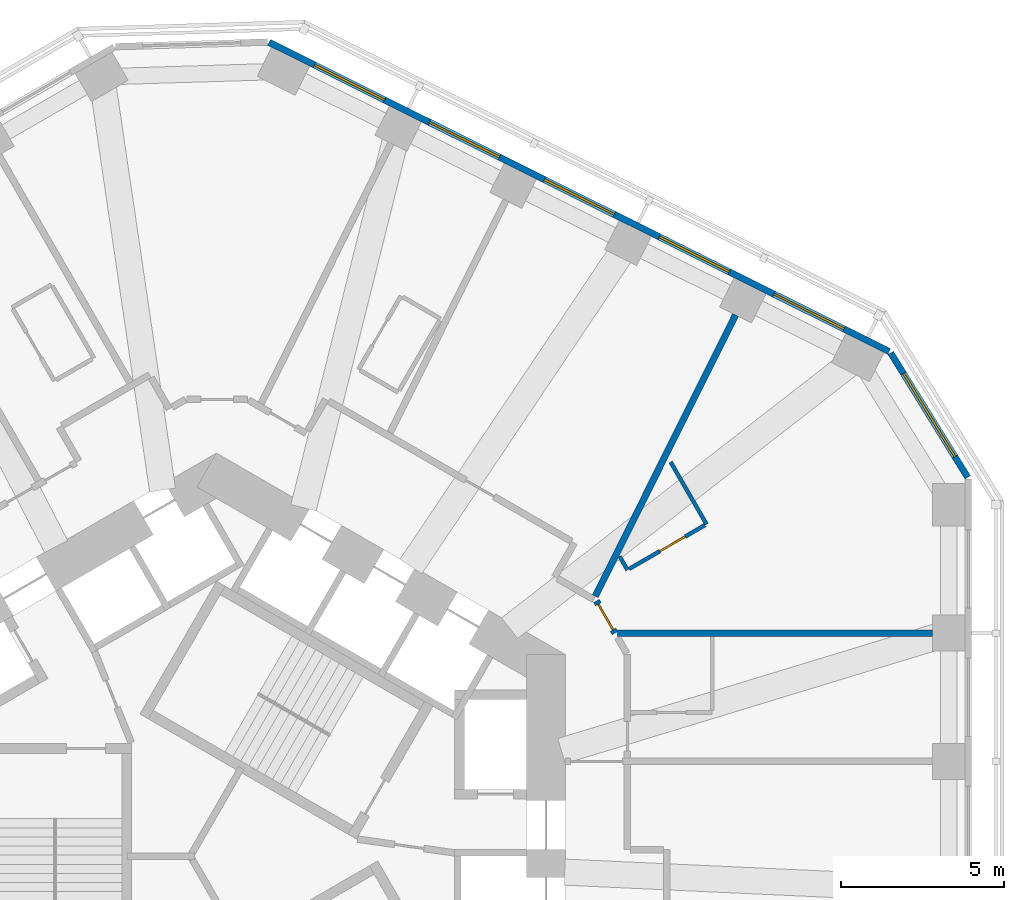
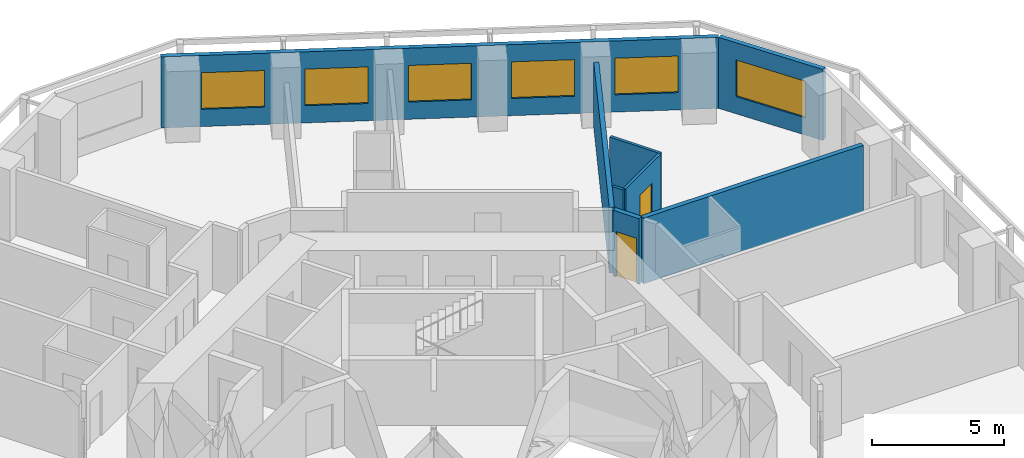
# One storey, part 9 of 12: 8 walls, 6 windows, 2 doors, 8 openings.
"""IFC4 building model written with IfcOpenShell, lengths in metres."""

import ifcopenshell
import ifcopenshell.guid

model = None  # the IFC model being written
_history = None  # IfcOwnerHistory: only IFC2X3 demands one
_inside = {}  # id of a spatial element -> (the spatial element, [elements in it])
_under = {}  # id of a project, library or spatial element -> (it, [spatial elements below it])
_declared = {}  # id of a project -> (the project, [libraries it declares])
_typed = {}  # id of a type object -> (the type object, [elements of that type])
_made_of = {}  # id of a material, layer set ... -> (it, [elements and type objects made of it])


def new_model(schema):
    """Start an empty IFC model of exactly this schema.

    Asked for "IFC4X3", IfcOpenShell would pick the latest addendum, in which some entities
    have other attributes; the version numbers below select the first issue.
    IFC2X3 requires an IfcOwnerHistory on every rooted entity: one is made here for all.
    """
    global model, _history
    if schema == "IFC4X3":
        model = ifcopenshell.file(schema_version=(4, 3, 0, 0))
    else:
        model = ifcopenshell.file(schema=schema)
    _inside.clear()
    _under.clear()
    _declared.clear()
    _typed.clear()
    _made_of.clear()
    _history = None
    if model.schema == "IFC2X3":
        org = make("IfcOrganization", Name="unknown")
        user = make(
            "IfcPersonAndOrganization",
            ThePerson=make("IfcPerson", FamilyName="unknown"),
            TheOrganization=org,
        )
        app = make(
            "IfcApplication",
            ApplicationDeveloper=org,
            Version="unknown",
            ApplicationFullName="unknown",
            ApplicationIdentifier="unknown",
        )
        _history = make(
            "IfcOwnerHistory",
            OwningUser=user,
            OwningApplication=app,
            ChangeAction="ADDED",
            CreationDate=0,
        )
    return model


def make(cls, **values):
    """One entity of the class cls with the attributes given. An attribute that is None is left unset."""
    return model.create_entity(
        cls, **{name: value for name, value in values.items() if value is not None}
    )


def rooted(cls, **values):
    """An entity with a GlobalId (a new one), such as an element, a storey or a relation."""
    return make(cls, GlobalId=ifcopenshell.guid.new(), OwnerHistory=_history, **values)


def si_unit(unit_type, name, prefix=None):
    """IfcSIUnit, for example si_unit("LENGTHUNIT", "METRE", prefix="MILLI")."""
    return make("IfcSIUnit", UnitType=unit_type, Prefix=prefix, Name=name)


def assignment(units):
    """IfcUnitAssignment: the units of a project."""
    return None if units is None else make("IfcUnitAssignment", Units=units)


def point(xyz):
    """IfcCartesianPoint."""
    return None if xyz is None else make("IfcCartesianPoint", Coordinates=xyz)


def direction(xyz):
    """IfcDirection."""
    return None if xyz is None else make("IfcDirection", DirectionRatios=xyz)


def frame(location, z_axis=None, x_axis=None):
    """IfcAxis2Placement3D, a coordinate frame: its origin and axes. An axis left out is left unset."""
    return make(
        "IfcAxis2Placement3D",
        Location=point(location),
        Axis=direction(z_axis),
        RefDirection=direction(x_axis),
    )


def frame_2d(location, x_axis=None):
    """IfcAxis2Placement2D, a coordinate frame in the plane: its origin and x axis."""
    return make(
        "IfcAxis2Placement2D", Location=point(location), RefDirection=direction(x_axis)
    )


def origin():
    """The frame at (0, 0, 0) with its axes left unset."""
    return frame((0.0, 0.0, 0.0))


def place(relative_to, where):
    """IfcLocalPlacement: puts the frame where relative to a parent placement (None: the world)."""
    return make(
        "IfcLocalPlacement", PlacementRelTo=relative_to, RelativePlacement=where
    )


def context(
    kind, dimensions, precision=None, world=None, true_north=None, identifier=None
):
    """IfcGeometricRepresentationContext, for example the 3D "Model" context."""
    return make(
        "IfcGeometricRepresentationContext",
        ContextIdentifier=identifier,
        ContextType=kind,
        CoordinateSpaceDimension=dimensions,
        Precision=precision,
        WorldCoordinateSystem=world,
        TrueNorth=true_north,
    )


def subcontext(parent, identifier, kind, view, scale=None):
    """IfcGeometricRepresentationSubContext, for example "Body" below "Model"."""
    return make(
        "IfcGeometricRepresentationSubContext",
        ContextIdentifier=identifier,
        ContextType=kind,
        ParentContext=parent,
        TargetScale=scale,
        TargetView=view,
    )


def project(units=None, contexts=None):
    """IfcProject with its units and contexts."""
    return rooted(
        "IfcProject",
        Name="project",
        RepresentationContexts=contexts,
        UnitsInContext=assignment(units),
    )


def spatial(cls, under=None, at=None, **own):
    """A site, building, storey or space (cls), placed at a placement, below another one or the project."""
    s = rooted(cls, ObjectPlacement=at, **own)
    if under is not None:
        _under.setdefault(under.id(), (under, []))[1].append(s)
    return s


def profile(cls, at=None, kind="AREA", **sizes):
    """A parametric profile (cls). Its sizes go by their IFC names, for example OverallWidth=200.0."""
    return make(cls, ProfileType=kind, Position=at, **sizes)


def rectangle(**sizes):
    """IfcRectangleProfileDef."""
    return profile("IfcRectangleProfileDef", **sizes)


def extrude(swept, where, along, depth):
    """IfcExtrudedAreaSolid: the profile swept, set in the frame where, extruded along a direction by depth."""
    return make(
        "IfcExtrudedAreaSolid",
        SweptArea=swept,
        Position=where,
        ExtrudedDirection=direction(along),
        Depth=depth,
    )


def shape(context_of_items, identifier, shape_type, items):
    """IfcShapeRepresentation: the items that make up one representation, for example the "Body"."""
    return make(
        "IfcShapeRepresentation",
        ContextOfItems=context_of_items,
        RepresentationIdentifier=identifier,
        RepresentationType=shape_type,
        Items=items,
    )


def material(Name=None, Category=None):
    """IfcMaterial."""
    return make("IfcMaterial", Name=Name, Category=Category)


def layer(
    of_material, thickness, ventilated=None, Name=None, Category=None, Priority=None
):
    """IfcMaterialLayer: one layer of a wall or slab, of a material (None: an air gap)."""
    return make(
        "IfcMaterialLayer",
        Material=of_material,
        LayerThickness=thickness,
        IsVentilated=ventilated,
        Name=Name,
        Category=Category,
        Priority=Priority,
    )


def layer_set(layers, Name=None):
    """IfcMaterialLayerSet."""
    return make("IfcMaterialLayerSet", MaterialLayers=layers, LayerSetName=Name)


def made_of(thing, what):
    """Note that an element or type object is made of a material, layer set ...; save() writes the relation."""
    if what is not None:
        _made_of.setdefault(what.id(), (what, []))[1].append(thing)
    return thing


def type_object(cls, material=None, **own):
    """A type object (cls), such as IfcWallType, which elements share."""
    return made_of(rooted(cls, **own), material)


def element(
    cls,
    number,
    at=None,
    inside=None,
    cuts=None,
    type_object=None,
    material=None,
    context=None,
    identifier="Body",
    shape_type=None,
    held_by="IfcProductDefinitionShape",
    body=None,
    shapes=None,
    **own,
):
    """One element of the class cls, such as IfcWall. Its Tag is "e" and its number.

    at: its placement. inside: the storey or other place that contains it. cuts: it is an
    opening in that element (IfcRelVoidsElement). A single representation is given by context,
    identifier, shape_type and body (its items); several are given by shapes. held_by: the class
    of the entity that holds the representations. save() writes the other relations.
    """
    e = rooted(cls, Tag="e%d" % number, ObjectPlacement=at, **own)
    if body is not None:
        shapes = [shape(context, identifier, shape_type, body)]
    if shapes is not None:
        e.Representation = make(held_by, Representations=shapes)
    if inside is not None:
        _inside.setdefault(inside.id(), (inside, []))[1].append(e)
    if cuts is not None:
        rooted(
            "IfcRelVoidsElement", RelatingBuildingElement=cuts, RelatedOpeningElement=e
        )
    if type_object is not None:
        _typed.setdefault(type_object.id(), (type_object, []))[1].append(e)
    return made_of(e, material)


def fill(opening, filler):
    """IfcRelFillsElement: the door or window that sits in an opening."""
    return rooted(
        "IfcRelFillsElement",
        RelatingOpeningElement=opening,
        RelatedBuildingElement=filler,
    )


def aggregate(whole, parts):
    """IfcRelAggregates: a whole, such as a stair, and the parts it consists of."""
    return rooted("IfcRelAggregates", RelatingObject=whole, RelatedObjects=parts)


def save(model, path):
    """Write the relations noted so far, then the file.

    IfcRelAggregates (storeys below a building ...), IfcRelContainedInSpatialStructure (elements
    in a storey), IfcRelDefinesByType, IfcRelAssociatesMaterial and IfcRelDeclares: one each for
    every whole, place, type object, material and project.
    """
    for whole, parts in _under.values():
        aggregate(whole, parts)
    for where, things in _inside.values():
        rooted(
            "IfcRelContainedInSpatialStructure",
            RelatedElements=things,
            RelatingStructure=where,
        )
    for kind, things in _typed.values():
        rooted("IfcRelDefinesByType", RelatedObjects=things, RelatingType=kind)
    for what, things in _made_of.values():
        rooted("IfcRelAssociatesMaterial", RelatedObjects=things, RelatingMaterial=what)
    for by, libraries in _declared.values():
        rooted("IfcRelDeclares", RelatingContext=by, RelatedDefinitions=libraries)
    model.write(path)


model = new_model("IFC4")

# Units and contexts
model_context = context("Model", 3, precision=1e-05, world=origin(), true_north=direction((0.0, 1.0)))
body_context = subcontext(model_context, "Body", "Model", "MODEL_VIEW")
ifc_project = project(units=[si_unit("LENGTHUNIT", "METRE"), si_unit("AREAUNIT", "SQUARE_METRE"), si_unit("VOLUMEUNIT", "CUBIC_METRE"), si_unit("PLANEANGLEUNIT", "RADIAN"), si_unit("MASSUNIT", "GRAM", prefix="KILO")], contexts=[model_context])

# Site, building, storey
site_placement = place(None, origin())
site = spatial("IfcSite", under=ifc_project, at=site_placement, CompositionType="ELEMENT")
building_placement = place(site_placement, origin())
building = spatial("IfcBuilding", under=site, at=building_placement, Name="Vanh Sen Convention Tower", CompositionType="ELEMENT")
storey_placement = place(building_placement, frame((0.0, 0.0, 110.0)))
storey = spatial("IfcBuildingStorey", under=building, at=storey_placement, Name="L26", CompositionType="ELEMENT", Elevation=110.0)

# Walls
ifc_material_1 = material(Name="Moisture-resistant gypsum board on steel studs", Category="steel")
ifc_layer_1 = layer(ifc_material_1, 0.1201171875)
ifc_layer_set_1 = layer_set([ifc_layer_1], Name="Moisture-resistant gypsum board on steel studs")
wall_type_1 = type_object("IfcWallType", Name="Bathroom partition 120", PredefinedType="PARTITIONING", material=ifc_layer_set_1)
wall_1_placement = place(storey_placement, frame((12.600830078125, 8.776123046875, 0.0), z_axis=(0.0, 0.0, 1.0), x_axis=(-0.500166486798, 0.865929261247, 0.0)))
element("IfcWall", 1, at=wall_1_placement, inside=storey, type_object=wall_type_1, Name="Bathroom partition 120", PredefinedType="PARTITIONING", context=body_context, shape_type="SweptSolid", body=[
    extrude(rectangle(XDim=0.475830078125, YDim=0.1201171875, at=frame_2d((0.23779296875, 0.0))), origin(), (0.0, 0.0, 1.0), 3.050048828125),
])
wall_2_placement = place(storey_placement, frame((13.92578125, 12.081298828125, 0.0), z_axis=(0.0, 0.0, 1.0), x_axis=(0.499994660107, -0.866028486751, 0.0)))
element("IfcWall", 2, at=wall_2_placement, inside=storey, type_object=wall_type_1, Name="Bathroom partition 120", PredefinedType="PARTITIONING", context=body_context, shape_type="SweptSolid", body=[
    extrude(rectangle(XDim=2.19970703125, YDim=0.1201171875, at=frame_2d((1.099853515625, 0.0))), origin(), (0.0, 0.0, 1.0), 3.050048828125),
])

# Wall, opening, door
wall_3_placement = place(storey_placement, frame((14.9736328125, 10.146240234375, 0.0), z_axis=(0.0, 0.0, 1.0), x_axis=(-0.86599746015, -0.500048396672, 0.0)))
wall_3 = element("IfcWall", 3, at=wall_3_placement, inside=storey, type_object=wall_type_1, Name="Bathroom partition 120", PredefinedType="PARTITIONING", context=body_context, shape_type="SweptSolid", body=[
    extrude(rectangle(XDim=2.679931640625, YDim=0.1201171875, at=frame_2d((1.33984375, 0.0))), origin(), (0.0, 0.0, 1.0), 3.050048828125),
])
opening_1_placement = place(wall_3_placement, frame((0.68994140625, 0.0, 0.0)))
opening_1 = element("IfcOpeningElement", 4, at=opening_1_placement, cuts=wall_3, Name="Opening D25105", PredefinedType="OPENING", context=body_context, shape_type="SweptSolid", body=[
    extrude(rectangle(XDim=0.89990234375, YDim=2.10009765625, at=frame_2d((0.449951171875, 1.050048828125))), frame((0.0, 0.070068359375, 0.0), z_axis=(0.0, -1.0, 0.0), x_axis=(1.0, 0.0, 0.0)), (0.0, 0.0, 1.0), 0.14013671875),
])
ifc_material_2 = material(Name="Laminate door in steel frame", Category="steel")
door_type_1 = type_object("IfcDoorType", Name="En-suite door 900", OperationType="SINGLE_SWING_LEFT", PredefinedType="DOOR", material=ifc_material_2)
door_1_placement = place(opening_1_placement, origin())
door_1 = element("IfcDoor", 5, at=door_1_placement, inside=storey, type_object=door_type_1, Name="En-suite door D25105", OperationType="SINGLE_SWING_LEFT", OverallHeight=2.10009765625, OverallWidth=0.89990234375, PredefinedType="DOOR", context=body_context, shape_type="SweptSolid", body=[
    extrude(rectangle(XDim=0.89990234375, YDim=2.10009765625, at=frame_2d((0.449951171875, 1.050048828125))), frame((0.0, 0.02490234375, 0.0), z_axis=(0.0, -1.0, 0.0), x_axis=(1.0, 0.0, 0.0)), (0.0, 0.0, 1.0), 0.050048828125),
])
fill(opening_1, door_1)

ifc_material_3 = material(Name="Gypsum board on steel studs with mineral wool", Category="steel")
ifc_layer_2 = layer(ifc_material_3, 0.199951171875)
ifc_layer_set_2 = layer_set([ifc_layer_2], Name="Gypsum board on steel studs with mineral wool")
wall_type_2 = type_object("IfcWallType", Name="Corridor partition wall 200", PredefinedType="PARTITIONING", material=ifc_layer_set_2)
wall_4_placement = place(storey_placement, frame((12.218017578125, 6.839111328125, 0.0), z_axis=(0.0, 0.0, 1.0), x_axis=(-0.500044870432, 0.865999496279, 0.0)))
wall_4 = element("IfcWall", 6, at=wall_4_placement, inside=storey, type_object=wall_type_2, Name="Corridor partition wall 200", PredefinedType="PARTITIONING", context=body_context, shape_type="SweptSolid", body=[
    extrude(rectangle(XDim=1.13623046875, YDim=0.199951171875, at=frame_2d((0.568115234375, 0.0))), origin(), (0.0, 0.0, 1.0), 3.050048828125),
])
opening_2_placement = place(wall_4_placement, frame((0.1181640625, 0.0, 0.0)))
opening_2 = element("IfcOpeningElement", 7, at=opening_2_placement, cuts=wall_4, Name="Opening D25104", PredefinedType="OPENING", context=body_context, shape_type="SweptSolid", body=[
    extrude(rectangle(XDim=0.89990234375, YDim=2.10009765625, at=frame_2d((0.449951171875, 1.050048828125))), frame((0.0, 0.10986328125, 0.0), z_axis=(0.0, -1.0, 0.0), x_axis=(1.0, 0.0, 0.0)), (0.0, 0.0, 1.0), 0.219970703125),
])
ifc_material_4 = material(Name="Timber fire door in steel frame", Category="steel")
door_type_2 = type_object("IfcDoorType", Name="Guest room door 900", OperationType="SINGLE_SWING_LEFT", PredefinedType="DOOR", material=ifc_material_4)
door_2_placement = place(opening_2_placement, origin())
door_2 = element("IfcDoor", 8, at=door_2_placement, inside=storey, type_object=door_type_2, Name="Hotel guest room door D25104", OperationType="SINGLE_SWING_LEFT", OverallHeight=2.10009765625, OverallWidth=0.89990234375, PredefinedType="DOOR", context=body_context, shape_type="SweptSolid", body=[
    extrude(rectangle(XDim=0.89990234375, YDim=2.10009765625, at=frame_2d((0.449951171875, 1.050048828125))), frame((0.0, 0.02490234375, 0.0), z_axis=(0.0, -1.0, 0.0), x_axis=(1.0, 0.0, 0.0)), (0.0, 0.0, 1.0), 0.050048828125),
])
fill(opening_2, door_2)

# Wall, opening, window
ifc_material_5 = material(Name="Insulated lightweight infill wall")
ifc_layer_3 = layer(ifc_material_5, 0.199951171875)
ifc_layer_set_3 = layer_set([ifc_layer_3], Name="Insulated lightweight infill wall")
wall_type_3 = type_object("IfcWallType", Name="External wall 200", PredefinedType="STANDARD", material=ifc_layer_set_3)
wall_5_placement = place(storey_placement, frame((23.034912109375, 11.612060546875, 0.0), z_axis=(0.0, 0.0, 1.0), x_axis=(-0.526160091227, 0.850385535155, 0.0)))
wall_5 = element("IfcWall", 9, at=wall_5_placement, inside=storey, type_object=wall_type_3, Name="External wall CH1 L26", PredefinedType="STANDARD", context=body_context, shape_type="SweptSolid", body=[
    extrude(rectangle(XDim=4.493896484375, YDim=0.199951171875, at=frame_2d((2.2470703125, 0.0))), origin(), (0.0, 0.0, 1.0), 3.300048828125),
])
opening_3_placement = place(wall_5_placement, frame((0.746826171875, 0.0, 0.800048828125)))
opening_3 = element("IfcOpeningElement", 10, at=opening_3_placement, cuts=wall_5, Name="Opening WH2-CH11", PredefinedType="OPENING", context=body_context, shape_type="SweptSolid", body=[
    extrude(rectangle(XDim=3.0, YDim=1.699951171875, at=frame_2d((1.5, 0.85009765625))), frame((0.0, 0.10986328125, 0.0), z_axis=(0.0, -1.0, 0.0), x_axis=(1.0, 0.0, 0.0)), (0.0, 0.0, 1.0), 0.219970703125),
])
ifc_material_6 = material(Name="Aluminium frame with clear low-emissivity glass", Category="aluminium")
window_type_1 = type_object("IfcWindowType", Name="Hotel window 3000 x 1700", PartitioningType="SINGLE_PANEL", PredefinedType="WINDOW", material=ifc_material_6)
window_1_placement = place(opening_3_placement, origin())
window_1 = element("IfcWindow", 11, at=window_1_placement, inside=storey, type_object=window_type_1, Name="Window WH2-CH11", OverallHeight=1.699951171875, OverallWidth=3.0, PartitioningType="SINGLE_PANEL", PredefinedType="WINDOW", context=body_context, shape_type="SweptSolid", body=[
    extrude(rectangle(XDim=3.0, YDim=1.699951171875, at=frame_2d((1.5, 0.85009765625))), frame((0.0, 0.030029296875, 0.0), z_axis=(0.0, -1.0, 0.0), x_axis=(1.0, 0.0, 0.0)), (0.0, 0.0, 1.0), 0.06005859375),
])
fill(opening_3, window_1)

# Wall, openings, windows
wall_6_placement = place(storey_placement, frame((20.6298828125, 15.470458984375, 0.0), z_axis=(0.0, 0.0, 1.0), x_axis=(-0.894934518609, 0.446197498203, 0.0)))
wall_6 = element("IfcWall", 12, at=wall_6_placement, inside=storey, type_object=wall_type_3, Name="External wall NE L26", PredefinedType="STANDARD", context=body_context, shape_type="SweptSolid", body=[
    extrude(rectangle(XDim=21.24609375, YDim=0.199951171875, at=frame_2d((10.623046875, 0.0))), origin(), (0.0, 0.0, 1.0), 3.300048828125),
])
opening_4_placement = place(wall_6_placement, frame((1.552978515625, 0.0, 0.800048828125)))
opening_4 = element("IfcOpeningElement", 13, at=opening_4_placement, cuts=wall_6, Name="Opening WH1-NE1", PredefinedType="OPENING", context=body_context, shape_type="SweptSolid", body=[
    extrude(rectangle(XDim=2.39990234375, YDim=1.699951171875, at=frame_2d((1.199951171875, 0.85009765625))), frame((0.0, 0.10986328125, 0.0), z_axis=(0.0, -1.0, 0.0), x_axis=(1.0, 0.0, 0.0)), (0.0, 0.0, 1.0), 0.219970703125),
])
opening_5_placement = place(wall_6_placement, frame((5.48779296875, 0.0, 0.800048828125)))
opening_5 = element("IfcOpeningElement", 14, at=opening_5_placement, cuts=wall_6, Name="Opening WH1-NE2", PredefinedType="OPENING", context=body_context, shape_type="SweptSolid", body=[
    extrude(rectangle(XDim=2.39990234375, YDim=1.699951171875, at=frame_2d((1.199951171875, 0.85009765625))), frame((0.0, 0.10986328125, 0.0), z_axis=(0.0, -1.0, 0.0), x_axis=(1.0, 0.0, 0.0)), (0.0, 0.0, 1.0), 0.219970703125),
])
opening_6_placement = place(wall_6_placement, frame((9.42236328125, 0.0, 0.800048828125)))
opening_6 = element("IfcOpeningElement", 15, at=opening_6_placement, cuts=wall_6, Name="Opening WH1-NE3", PredefinedType="OPENING", context=body_context, shape_type="SweptSolid", body=[
    extrude(rectangle(XDim=2.39990234375, YDim=1.699951171875, at=frame_2d((1.199951171875, 0.85009765625))), frame((0.0, 0.10986328125, 0.0), z_axis=(0.0, -1.0, 0.0), x_axis=(1.0, 0.0, 0.0)), (0.0, 0.0, 1.0), 0.219970703125),
])
opening_7_placement = place(wall_6_placement, frame((13.35693359375, 0.0, 0.800048828125)))
opening_7 = element("IfcOpeningElement", 16, at=opening_7_placement, cuts=wall_6, Name="Opening WH1-NE4", PredefinedType="OPENING", context=body_context, shape_type="SweptSolid", body=[
    extrude(rectangle(XDim=2.39990234375, YDim=1.699951171875, at=frame_2d((1.199951171875, 0.85009765625))), frame((0.0, 0.10986328125, 0.0), z_axis=(0.0, -1.0, 0.0), x_axis=(1.0, 0.0, 0.0)), (0.0, 0.0, 1.0), 0.219970703125),
])
opening_8_placement = place(wall_6_placement, frame((17.29150390625, 0.0, 0.800048828125)))
opening_8 = element("IfcOpeningElement", 17, at=opening_8_placement, cuts=wall_6, Name="Opening WH1-NE5", PredefinedType="OPENING", context=body_context, shape_type="SweptSolid", body=[
    extrude(rectangle(XDim=2.39990234375, YDim=1.699951171875, at=frame_2d((1.199951171875, 0.85009765625))), frame((0.0, 0.10986328125, 0.0), z_axis=(0.0, -1.0, 0.0), x_axis=(1.0, 0.0, 0.0)), (0.0, 0.0, 1.0), 0.219970703125),
])
window_type_2 = type_object("IfcWindowType", Name="Hotel window 2400 x 1700", PartitioningType="SINGLE_PANEL", PredefinedType="WINDOW", material=ifc_material_6)
window_2_placement = place(opening_4_placement, origin())
window_2 = element("IfcWindow", 18, at=window_2_placement, inside=storey, type_object=window_type_2, Name="Window WH1-NE1", OverallHeight=1.699951171875, OverallWidth=2.39990234375, PartitioningType="SINGLE_PANEL", PredefinedType="WINDOW", context=body_context, shape_type="SweptSolid", body=[
    extrude(rectangle(XDim=2.39990234375, YDim=1.699951171875, at=frame_2d((1.199951171875, 0.85009765625))), frame((0.0, 0.030029296875, 0.0), z_axis=(0.0, -1.0, 0.0), x_axis=(1.0, 0.0, 0.0)), (0.0, 0.0, 1.0), 0.06005859375),
])
fill(opening_4, window_2)
window_3_placement = place(opening_5_placement, origin())
window_3 = element("IfcWindow", 19, at=window_3_placement, inside=storey, type_object=window_type_2, Name="Window WH1-NE2", OverallHeight=1.699951171875, OverallWidth=2.39990234375, PartitioningType="SINGLE_PANEL", PredefinedType="WINDOW", context=body_context, shape_type="SweptSolid", body=[
    extrude(rectangle(XDim=2.39990234375, YDim=1.699951171875, at=frame_2d((1.199951171875, 0.85009765625))), frame((0.0, 0.030029296875, 0.0), z_axis=(0.0, -1.0, 0.0), x_axis=(1.0, 0.0, 0.0)), (0.0, 0.0, 1.0), 0.06005859375),
])
fill(opening_5, window_3)
window_4_placement = place(opening_6_placement, origin())
window_4 = element("IfcWindow", 20, at=window_4_placement, inside=storey, type_object=window_type_2, Name="Window WH1-NE3", OverallHeight=1.699951171875, OverallWidth=2.39990234375, PartitioningType="SINGLE_PANEL", PredefinedType="WINDOW", context=body_context, shape_type="SweptSolid", body=[
    extrude(rectangle(XDim=2.39990234375, YDim=1.699951171875, at=frame_2d((1.199951171875, 0.85009765625))), frame((0.0, 0.030029296875, 0.0), z_axis=(0.0, -1.0, 0.0), x_axis=(1.0, 0.0, 0.0)), (0.0, 0.0, 1.0), 0.06005859375),
])
fill(opening_6, window_4)
window_5_placement = place(opening_7_placement, origin())
window_5 = element("IfcWindow", 21, at=window_5_placement, inside=storey, type_object=window_type_2, Name="Window WH1-NE4", OverallHeight=1.699951171875, OverallWidth=2.39990234375, PartitioningType="SINGLE_PANEL", PredefinedType="WINDOW", context=body_context, shape_type="SweptSolid", body=[
    extrude(rectangle(XDim=2.39990234375, YDim=1.699951171875, at=frame_2d((1.199951171875, 0.85009765625))), frame((0.0, 0.030029296875, 0.0), z_axis=(0.0, -1.0, 0.0), x_axis=(1.0, 0.0, 0.0)), (0.0, 0.0, 1.0), 0.06005859375),
])
fill(opening_7, window_5)
window_6_placement = place(opening_8_placement, origin())
window_6 = element("IfcWindow", 22, at=window_6_placement, inside=storey, type_object=window_type_2, Name="Window WH1-NE5", OverallHeight=1.699951171875, OverallWidth=2.39990234375, PartitioningType="SINGLE_PANEL", PredefinedType="WINDOW", context=body_context, shape_type="SweptSolid", body=[
    extrude(rectangle(XDim=2.39990234375, YDim=1.699951171875, at=frame_2d((1.199951171875, 0.85009765625))), frame((0.0, 0.030029296875, 0.0), z_axis=(0.0, -1.0, 0.0), x_axis=(1.0, 0.0, 0.0)), (0.0, 0.0, 1.0), 0.06005859375),
])
fill(opening_8, window_6)

# Walls
ifc_layer_4 = layer(ifc_material_3, 0.199951171875)
ifc_layer_set_4 = layer_set([ifc_layer_4], Name="Gypsum board on steel studs with mineral wool")
wall_type_4 = type_object("IfcWallType", Name="Hotel party wall 200", PredefinedType="PARTITIONING", material=ifc_layer_set_4)
wall_7_placement = place(storey_placement, frame((15.91455078125, 16.59228515625, 0.0), z_axis=(0.0, 0.0, 1.0), x_axis=(-0.446199736347, -0.894933402709, 0.0)))
element("IfcWall", 23, at=wall_7_placement, inside=storey, type_object=wall_type_4, Name="Hotel party wall 200", PredefinedType="PARTITIONING", context=body_context, shape_type="SweptSolid", body=[
    extrude(rectangle(XDim=9.634765625, YDim=0.199951171875, at=frame_2d((4.8173828125, 0.0))), origin(), (0.0, 0.0, 1.0), 3.050048828125),
])
wall_8_placement = place(storey_placement, frame((21.949951171875, 6.839111328125, 0.0), z_axis=(0.0, 0.0, 1.0), x_axis=(-1.0, 0.0, 0.0)))
element("IfcWall", 24, at=wall_8_placement, inside=storey, type_object=wall_type_4, Name="Hotel party wall 200", PredefinedType="PARTITIONING", context=body_context, shape_type="SweptSolid", body=[
    extrude(rectangle(XDim=9.64990234375, YDim=0.199951171875, at=frame_2d((4.824951171875, 0.0))), origin(), (0.0, 0.0, 1.0), 3.050048828125),
])

save(model, "model.ifc")
